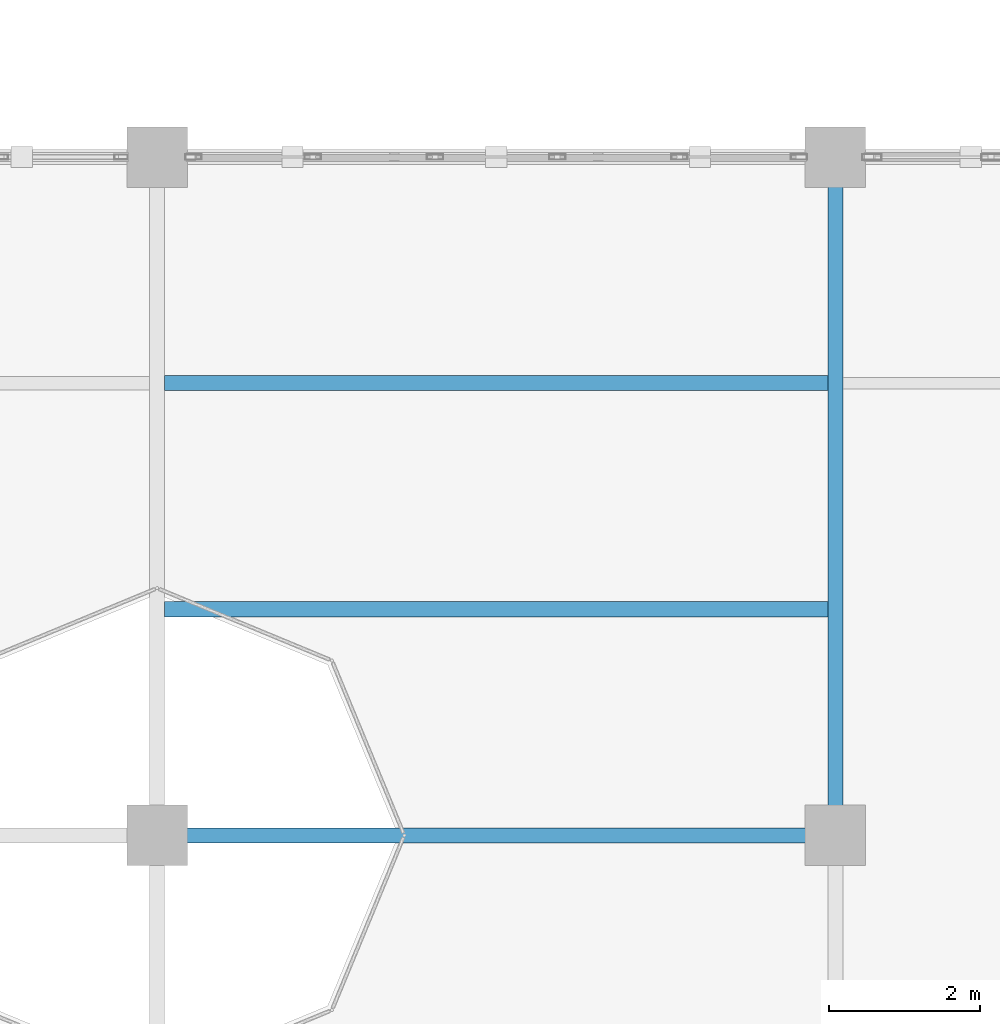
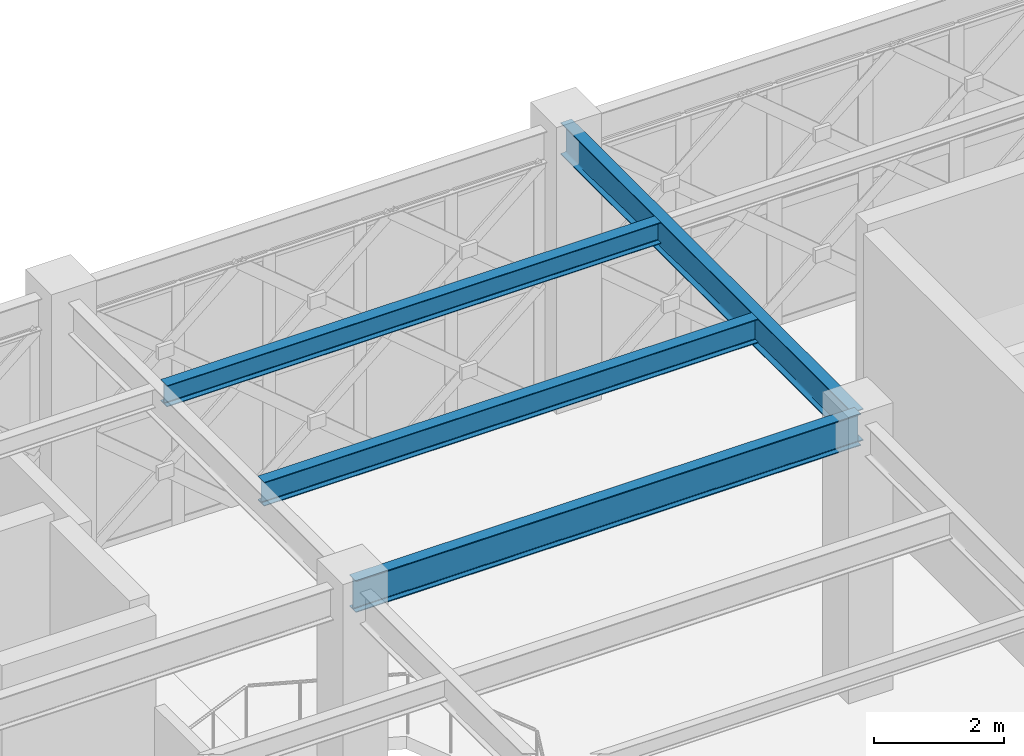
# One storey, part 14 of 86: 4 beams.
"""IFC4 building model written with IfcOpenShell, lengths in metres."""

from ifc_helpers import new_model, si_unit, direction, frame, origin, origin_2d, place, context, subcontext, project, spatial, i_section, extrude, material, material_profile, profile_set, type_object, element, save


model = new_model("IFC4")

# Units and contexts
model_context = context("Model", 3, precision=1e-05, world=origin(), true_north=direction((0.0, 1.0)))
body_context = subcontext(model_context, "Body", "Model", "MODEL_VIEW")
ifc_project = project(units=[si_unit("LENGTHUNIT", "METRE"), si_unit("AREAUNIT", "SQUARE_METRE"), si_unit("VOLUMEUNIT", "CUBIC_METRE"), si_unit("PLANEANGLEUNIT", "RADIAN"), si_unit("MASSUNIT", "GRAM", prefix="KILO")], contexts=[model_context])

# Site, building, storey
site_placement = place(None, origin())
site = spatial("IfcSite", under=ifc_project, at=site_placement, CompositionType="ELEMENT")
building_placement = place(site_placement, origin())
building = spatial("IfcBuilding", under=site, at=building_placement, Name="Haizhuo Lancet Aquarium", CompositionType="ELEMENT")
storey_placement = place(building_placement, frame((0.0, 0.0, 16.199951171875)))
storey = spatial("IfcBuildingStorey", under=building, at=storey_placement, Name="L03", CompositionType="ELEMENT", Elevation=16.199951171875)

# Beams
ifc_material = material(Name="Steel S355", Category="steel")
ifc_material_profile_1 = material_profile(ifc_material, i_section(OverallWidth=0.199951171875, OverallDepth=0.60009765625, WebThickness=0.010986328125, FlangeThickness=0.01708984375, FilletRadius=0.02197265625, at=origin_2d()), Name="HN 600x200x11x17")
ifc_profile_set_1 = profile_set([ifc_material_profile_1], Name="Steel S355")
beam_type_1 = type_object("IfcBeamType", Name="BM-ST-HN600", PredefinedType="BEAM", material=ifc_profile_set_1)
for number, where, z_axis, x_axis, name in (
    (1, (-54.0, -18.0, 4.85009765625), (1.0, 0.0, 0.0), (0.0, 1.0, 0.0), "L03 V6 primary girder BM-L03-V6-019"),
    (2, (-45.0, -18.0, 4.85009765625), (0.0, 1.0, 0.0), (-1.0, 0.0, 0.0), "L03 V6 primary girder BM-L03-V6-025"),
):
    element("IfcBeam", number, at=place(storey_placement, frame(where, z_axis=z_axis, x_axis=x_axis)), inside=storey, type_object=beam_type_1, Name=name, PredefinedType="BEAM", context=body_context, shape_type="SweptSolid", body=[
        extrude(i_section(OverallWidth=0.199951171875, OverallDepth=0.60009765625, WebThickness=0.010986328125, FlangeThickness=0.01708984375, FilletRadius=0.02197265625, at=origin_2d()), origin(), (0.0, 0.0, 1.0), 9.0),
    ])
ifc_material_profile_2 = material_profile(ifc_material, i_section(OverallWidth=0.199951171875, OverallDepth=0.39990234375, WebThickness=0.008056640625, FlangeThickness=0.012939453125, FilletRadius=0.01611328125, at=origin_2d()), Name="HN 400x200x8x13")
ifc_profile_set_2 = profile_set([ifc_material_profile_2], Name="Steel S355")
beam_type_2 = type_object("IfcBeamType", Name="JST-ST-HN400", PredefinedType="JOIST", material=ifc_profile_set_2)
beam_1_placement = place(storey_placement, frame((-53.89990234375, -12.0, 4.949951171875), z_axis=(1.0, 0.0, 0.0), x_axis=(0.0, 1.0, 0.0)))
element("IfcBeam", 3, at=beam_1_placement, inside=storey, type_object=beam_type_2, Name="L03 V6 secondary floor joist 13", PredefinedType="JOIST", context=body_context, shape_type="SweptSolid", body=[
    extrude(i_section(OverallWidth=0.199951171875, OverallDepth=0.39990234375, WebThickness=0.008056640625, FlangeThickness=0.012939453125, FilletRadius=0.01611328125, at=origin_2d()), origin(), (0.0, 0.0, 1.0), 8.7998046875),
])
ifc_material_profile_3 = material_profile(ifc_material, i_section(OverallWidth=0.199951171875, OverallDepth=0.449951171875, WebThickness=0.009033203125, FlangeThickness=0.013916015625, FilletRadius=0.01806640625, at=origin_2d()), Name="HN 450x200x9x14")
ifc_profile_set_3 = profile_set([ifc_material_profile_3], Name="Steel S355")
beam_type_3 = type_object("IfcBeamType", Name="JST-ST-HN450", PredefinedType="JOIST", material=ifc_profile_set_3)
beam_2_placement = place(storey_placement, frame((-53.89990234375, -15.0, 4.925048828125), z_axis=(1.0, 0.0, 0.0), x_axis=(0.0, 1.0, 0.0)))
element("IfcBeam", 4, at=beam_2_placement, inside=storey, type_object=beam_type_3, Name="L03 V6 secondary floor joist 12", PredefinedType="JOIST", context=body_context, shape_type="SweptSolid", body=[
    extrude(i_section(OverallWidth=0.199951171875, OverallDepth=0.449951171875, WebThickness=0.009033203125, FlangeThickness=0.013916015625, FilletRadius=0.01806640625, at=origin_2d()), origin(), (0.0, 0.0, 1.0), 8.7998046875),
])

save(model, "model.ifc")
